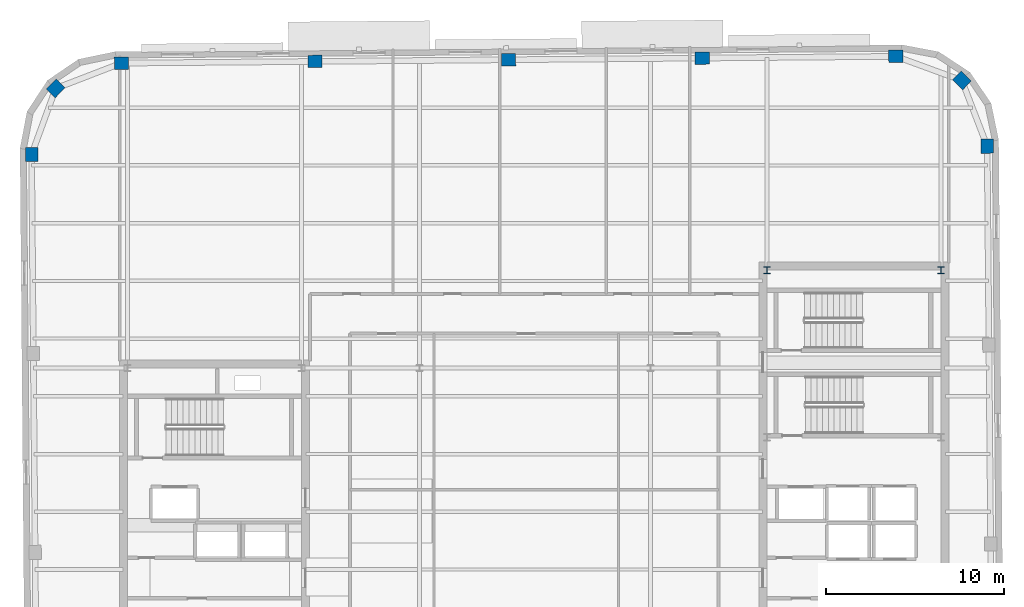
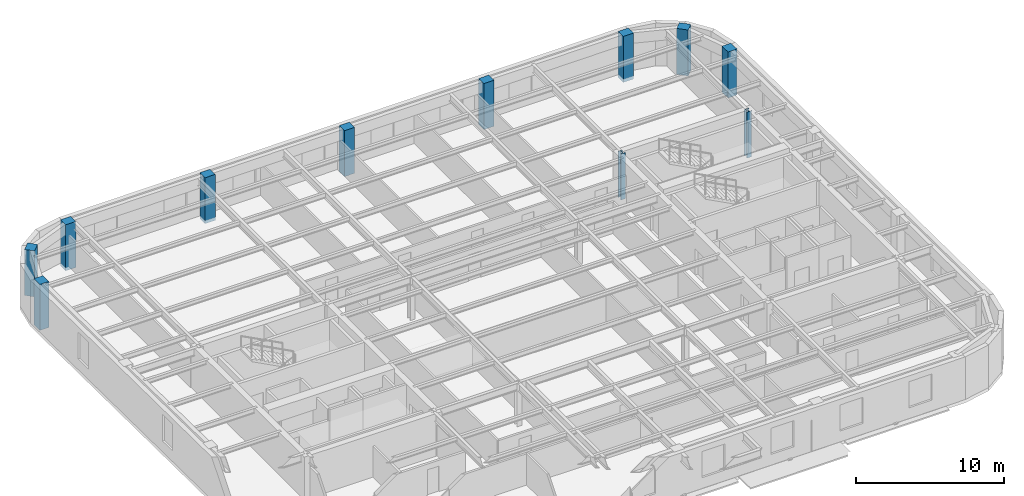
# One storey, part 3 of 14: 11 columns.
"""IFC4 building model written with IfcOpenShell, lengths in metres."""

from ifc_helpers import new_model, si_unit, direction, frame, origin, origin_2d, place, context, subcontext, project, spatial, rectangle, i_section, extrude, material, material_profile, profile_set, type_object, element, save


model = new_model("IFC4")

# Units and contexts
model_context = context("Model", 3, precision=1e-05, world=origin(), true_north=direction((0.0, 1.0)))
body_context = subcontext(model_context, "Body", "Model", "MODEL_VIEW")
ifc_project = project(units=[si_unit("LENGTHUNIT", "METRE"), si_unit("AREAUNIT", "SQUARE_METRE"), si_unit("VOLUMEUNIT", "CUBIC_METRE"), si_unit("PLANEANGLEUNIT", "RADIAN"), si_unit("MASSUNIT", "GRAM", prefix="KILO")], contexts=[model_context])

# Site, building, storey
site_placement = place(None, origin())
site = spatial("IfcSite", under=ifc_project, at=site_placement, CompositionType="ELEMENT")
building_placement = place(site_placement, origin())
building = spatial("IfcBuilding", under=site, at=building_placement, Name="Kolvaren Arena Tower", CompositionType="ELEMENT")
storey_placement = place(building_placement, frame((0.0, 0.0, 308.64990234375)))
storey = spatial("IfcBuildingStorey", under=building, at=storey_placement, Name="L76", CompositionType="ELEMENT", Elevation=308.64990234375)

# Columns
ifc_material_1 = material(Name="Precast concrete C50/60", Category="concrete")
ifc_material_profile_1 = material_profile(ifc_material_1, rectangle(XDim=0.800048828125, YDim=0.699951171875, at=origin_2d()), Name="RC-800x700")
ifc_profile_set_1 = profile_set([ifc_material_profile_1], Name="Precast concrete C50/60")
column_type_1 = type_object("IfcColumnType", Name="EXCOL-Z5", PredefinedType="COLUMN", material=ifc_profile_set_1)
for number, where, z_axis, x_axis, name in (
    (1, (62.952392578125, 46.333984375, -0.27001953125), (0.0, 0.0, 1.0), (-0.008726535498, 0.999961923064, 0.0), "Exoskeleton Perimeter Column 10 (L76)"),
    (2, (61.52880859375, 50.030517578125, -0.27001953125), (0.0, 0.0, 1.0), (-0.713250449154, 0.7009092643, 0.0), "Exoskeleton Perimeter Column 11 (L76)"),
    (3, (57.80810546875, 51.389404296875, -0.27001953125), (0.0, 0.0, 1.0), (0.999961923064, 0.008726535498, 0.0), "Exoskeleton Perimeter Column 12 (L76)"),
    (4, (46.908447265625, 51.294189453125, -0.27001953125), (0.0, 0.0, 1.0), (0.999961923064, 0.008726535498, 0.0), "Exoskeleton Perimeter Column 13 (L76)"),
    (5, (36.0087890625, 51.19921875, -0.27001953125), (0.0, 0.0, 1.0), (0.999961923064, 0.008726535498, 0.0), "Exoskeleton Perimeter Column 14 (L76)"),
    (6, (25.109375, 51.10400390625, -0.27001953125), (0.0, 0.0, 1.0), (0.999961923064, 0.008726535498, 0.0), "Exoskeleton Perimeter Column 15 (L76)"),
    (7, (14.209716796875, 51.0087890625, -0.27001953125), (0.0, 0.0, 1.0), (0.999961923064, 0.008726535498, 0.0), "Exoskeleton Perimeter Column 16 (L76)"),
    (8, (10.51318359375, 49.58544921875, -0.27001953125), (0.0, 0.0, 1.0), (0.7009092643, 0.713250449154, 0.0), "Exoskeleton Perimeter Column 17 (L76)"),
    (9, (9.154296875, 45.864501953125, -0.27001953125), (0.0, 0.0, 1.0), (-0.008726535498, 0.999961923064, 0.0), "Exoskeleton Perimeter Column 18 (L76)"),
):
    element("IfcColumn", number, at=place(storey_placement, frame(where, z_axis=z_axis, x_axis=x_axis)), inside=storey, type_object=column_type_1, Name=name, PredefinedType="COLUMN", context=body_context, shape_type="SweptSolid", body=[
        extrude(rectangle(XDim=0.800048828125, YDim=0.699951171875, at=origin_2d()), origin(), (0.0, 0.0, 1.0), 3.780029296875),
    ])
ifc_material_2 = material(Name="Steel ASTM A913 Grade 65", Category="steel")
ifc_material_profile_2 = material_profile(ifc_material_2, i_section(OverallWidth=0.3740234375, OverallDepth=0.3720703125, WebThickness=0.016357421875, FlangeThickness=0.026123046875, FilletRadius=0.02001953125, at=origin_2d()), Name="W360x196")
ifc_profile_set_2 = profile_set([ifc_material_profile_2], Name="Steel ASTM A913 Grade 65")
column_type_2 = type_object("IfcColumnType", Name="SCOL-Z5", PredefinedType="COLUMN", material=ifc_profile_set_2)
for number, where, z_axis, x_axis, name in (
    (10, (50.550048828125, 39.35009765625, -0.27001953125), (0.0, 0.0, 1.0), (1.0, 0.0, 0.0), "Core Boundary Column EC-NW (L76)"),
    (11, (60.35009765625, 39.35009765625, -0.27001953125), (0.0, 0.0, 1.0), (1.0, 0.0, 0.0), "Core Boundary Column EC-NE (L76)"),
):
    element("IfcColumn", number, at=place(storey_placement, frame(where, z_axis=z_axis, x_axis=x_axis)), inside=storey, type_object=column_type_2, Name=name, PredefinedType="COLUMN", context=body_context, shape_type="SweptSolid", body=[
        extrude(i_section(OverallWidth=0.3740234375, OverallDepth=0.3720703125, WebThickness=0.016357421875, FlangeThickness=0.026123046875, FilletRadius=0.02001953125, at=origin_2d()), origin(), (0.0, 0.0, 1.0), 3.780029296875),
    ])

save(model, "model.ifc")
